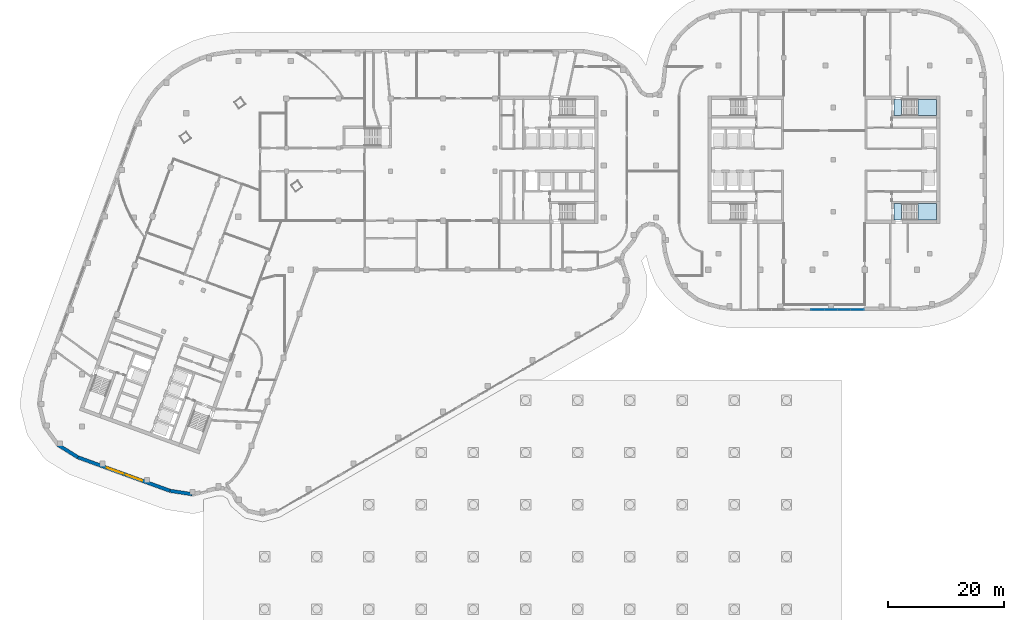
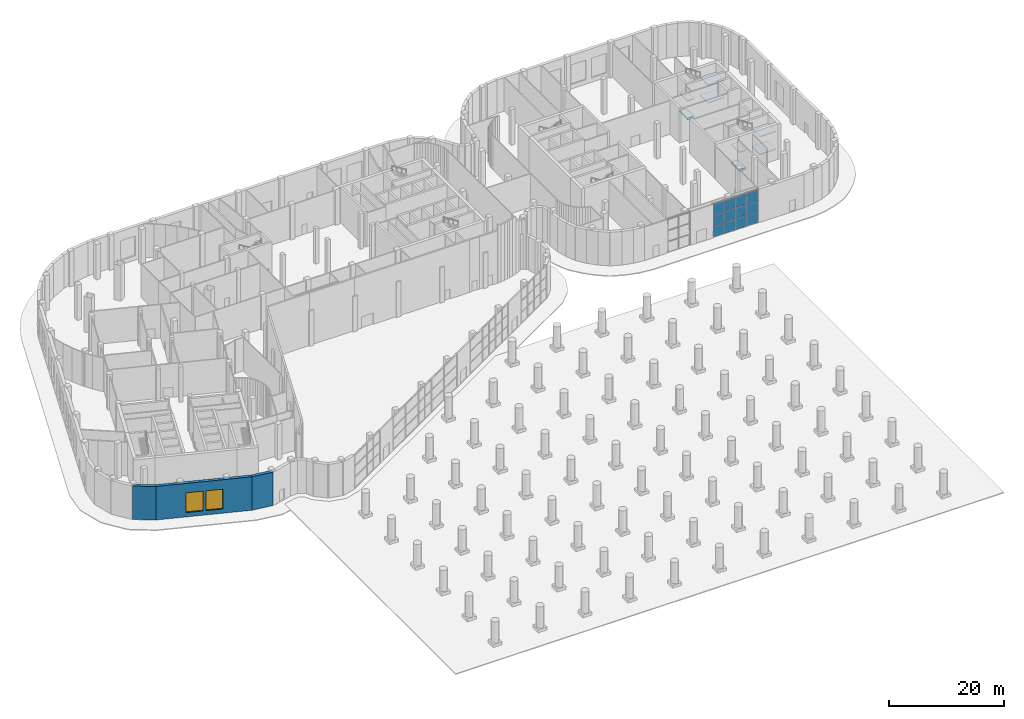
# One storey, part 11 of 30: 12 plates, 8 slabs, 3 walls, 2 windows, 2 openings, 3 elements without a shape of their own.
"""IFC4 building model written with IfcOpenShell, lengths in metres."""

import ifcopenshell
import ifcopenshell.guid

model = None  # the IFC model being written
_history = None  # IfcOwnerHistory: only IFC2X3 demands one
_inside = {}  # id of a spatial element -> (the spatial element, [elements in it])
_under = {}  # id of a project, library or spatial element -> (it, [spatial elements below it])
_declared = {}  # id of a project -> (the project, [libraries it declares])
_typed = {}  # id of a type object -> (the type object, [elements of that type])
_made_of = {}  # id of a material, layer set ... -> (it, [elements and type objects made of it])


def new_model(schema):
    """Start an empty IFC model of exactly this schema.

    Asked for "IFC4X3", IfcOpenShell would pick the latest addendum, in which some entities
    have other attributes; the version numbers below select the first issue.
    IFC2X3 requires an IfcOwnerHistory on every rooted entity: one is made here for all.
    """
    global model, _history
    if schema == "IFC4X3":
        model = ifcopenshell.file(schema_version=(4, 3, 0, 0))
    else:
        model = ifcopenshell.file(schema=schema)
    _inside.clear()
    _under.clear()
    _declared.clear()
    _typed.clear()
    _made_of.clear()
    _history = None
    if model.schema == "IFC2X3":
        org = make("IfcOrganization", Name="unknown")
        user = make(
            "IfcPersonAndOrganization",
            ThePerson=make("IfcPerson", FamilyName="unknown"),
            TheOrganization=org,
        )
        app = make(
            "IfcApplication",
            ApplicationDeveloper=org,
            Version="unknown",
            ApplicationFullName="unknown",
            ApplicationIdentifier="unknown",
        )
        _history = make(
            "IfcOwnerHistory",
            OwningUser=user,
            OwningApplication=app,
            ChangeAction="ADDED",
            CreationDate=0,
        )
    return model


def make(cls, **values):
    """One entity of the class cls with the attributes given. An attribute that is None is left unset."""
    return model.create_entity(
        cls, **{name: value for name, value in values.items() if value is not None}
    )


def rooted(cls, **values):
    """An entity with a GlobalId (a new one), such as an element, a storey or a relation."""
    return make(cls, GlobalId=ifcopenshell.guid.new(), OwnerHistory=_history, **values)


def si_unit(unit_type, name, prefix=None):
    """IfcSIUnit, for example si_unit("LENGTHUNIT", "METRE", prefix="MILLI")."""
    return make("IfcSIUnit", UnitType=unit_type, Prefix=prefix, Name=name)


def assignment(units):
    """IfcUnitAssignment: the units of a project."""
    return None if units is None else make("IfcUnitAssignment", Units=units)


def point(xyz):
    """IfcCartesianPoint."""
    return None if xyz is None else make("IfcCartesianPoint", Coordinates=xyz)


def direction(xyz):
    """IfcDirection."""
    return None if xyz is None else make("IfcDirection", DirectionRatios=xyz)


def frame(location, z_axis=None, x_axis=None):
    """IfcAxis2Placement3D, a coordinate frame: its origin and axes. An axis left out is left unset."""
    return make(
        "IfcAxis2Placement3D",
        Location=point(location),
        Axis=direction(z_axis),
        RefDirection=direction(x_axis),
    )


def frame_2d(location, x_axis=None):
    """IfcAxis2Placement2D, a coordinate frame in the plane: its origin and x axis."""
    return make(
        "IfcAxis2Placement2D", Location=point(location), RefDirection=direction(x_axis)
    )


def origin():
    """The frame at (0, 0, 0) with its axes left unset."""
    return frame((0.0, 0.0, 0.0))


def origin_2d():
    """The frame at (0, 0) in the plane with its x axis left unset."""
    return frame_2d((0.0, 0.0))


def place(relative_to, where):
    """IfcLocalPlacement: puts the frame where relative to a parent placement (None: the world)."""
    return make(
        "IfcLocalPlacement", PlacementRelTo=relative_to, RelativePlacement=where
    )


def context(
    kind, dimensions, precision=None, world=None, true_north=None, identifier=None
):
    """IfcGeometricRepresentationContext, for example the 3D "Model" context."""
    return make(
        "IfcGeometricRepresentationContext",
        ContextIdentifier=identifier,
        ContextType=kind,
        CoordinateSpaceDimension=dimensions,
        Precision=precision,
        WorldCoordinateSystem=world,
        TrueNorth=true_north,
    )


def subcontext(parent, identifier, kind, view, scale=None):
    """IfcGeometricRepresentationSubContext, for example "Body" below "Model"."""
    return make(
        "IfcGeometricRepresentationSubContext",
        ContextIdentifier=identifier,
        ContextType=kind,
        ParentContext=parent,
        TargetScale=scale,
        TargetView=view,
    )


def project(units=None, contexts=None):
    """IfcProject with its units and contexts."""
    return rooted(
        "IfcProject",
        Name="project",
        RepresentationContexts=contexts,
        UnitsInContext=assignment(units),
    )


def spatial(cls, under=None, at=None, **own):
    """A site, building, storey or space (cls), placed at a placement, below another one or the project."""
    s = rooted(cls, ObjectPlacement=at, **own)
    if under is not None:
        _under.setdefault(under.id(), (under, []))[1].append(s)
    return s


def polyline(points):
    """IfcPolyline through the points."""
    return make("IfcPolyline", Points=[point(p) for p in points])


def profile(cls, at=None, kind="AREA", **sizes):
    """A parametric profile (cls). Its sizes go by their IFC names, for example OverallWidth=200.0."""
    return make(cls, ProfileType=kind, Position=at, **sizes)


def rectangle(**sizes):
    """IfcRectangleProfileDef."""
    return profile("IfcRectangleProfileDef", **sizes)


def outline(outer, holes=None, kind="AREA"):
    """IfcArbitraryClosedProfileDef: a profile drawn as a closed curve; with holes, ...WithVoids."""
    if holes is None:
        return make("IfcArbitraryClosedProfileDef", ProfileType=kind, OuterCurve=outer)
    return make(
        "IfcArbitraryProfileDefWithVoids",
        ProfileType=kind,
        OuterCurve=outer,
        InnerCurves=holes,
    )


def extrude(swept, where, along, depth):
    """IfcExtrudedAreaSolid: the profile swept, set in the frame where, extruded along a direction by depth."""
    return make(
        "IfcExtrudedAreaSolid",
        SweptArea=swept,
        Position=where,
        ExtrudedDirection=direction(along),
        Depth=depth,
    )


def shape(context_of_items, identifier, shape_type, items):
    """IfcShapeRepresentation: the items that make up one representation, for example the "Body"."""
    return make(
        "IfcShapeRepresentation",
        ContextOfItems=context_of_items,
        RepresentationIdentifier=identifier,
        RepresentationType=shape_type,
        Items=items,
    )


def material(Name=None, Category=None):
    """IfcMaterial."""
    return make("IfcMaterial", Name=Name, Category=Category)


def layer(
    of_material, thickness, ventilated=None, Name=None, Category=None, Priority=None
):
    """IfcMaterialLayer: one layer of a wall or slab, of a material (None: an air gap)."""
    return make(
        "IfcMaterialLayer",
        Material=of_material,
        LayerThickness=thickness,
        IsVentilated=ventilated,
        Name=Name,
        Category=Category,
        Priority=Priority,
    )


def layer_set(layers, Name=None):
    """IfcMaterialLayerSet."""
    return make("IfcMaterialLayerSet", MaterialLayers=layers, LayerSetName=Name)


def made_of(thing, what):
    """Note that an element or type object is made of a material, layer set ...; save() writes the relation."""
    if what is not None:
        _made_of.setdefault(what.id(), (what, []))[1].append(thing)
    return thing


def type_object(cls, material=None, **own):
    """A type object (cls), such as IfcWallType, which elements share."""
    return made_of(rooted(cls, **own), material)


def element(
    cls,
    number,
    at=None,
    inside=None,
    cuts=None,
    type_object=None,
    material=None,
    context=None,
    identifier="Body",
    shape_type=None,
    held_by="IfcProductDefinitionShape",
    body=None,
    shapes=None,
    **own,
):
    """One element of the class cls, such as IfcWall. Its Tag is "e" and its number.

    at: its placement. inside: the storey or other place that contains it. cuts: it is an
    opening in that element (IfcRelVoidsElement). A single representation is given by context,
    identifier, shape_type and body (its items); several are given by shapes. held_by: the class
    of the entity that holds the representations. save() writes the other relations.
    """
    e = rooted(cls, Tag="e%d" % number, ObjectPlacement=at, **own)
    if body is not None:
        shapes = [shape(context, identifier, shape_type, body)]
    if shapes is not None:
        e.Representation = make(held_by, Representations=shapes)
    if inside is not None:
        _inside.setdefault(inside.id(), (inside, []))[1].append(e)
    if cuts is not None:
        rooted(
            "IfcRelVoidsElement", RelatingBuildingElement=cuts, RelatedOpeningElement=e
        )
    if type_object is not None:
        _typed.setdefault(type_object.id(), (type_object, []))[1].append(e)
    return made_of(e, material)


def fill(opening, filler):
    """IfcRelFillsElement: the door or window that sits in an opening."""
    return rooted(
        "IfcRelFillsElement",
        RelatingOpeningElement=opening,
        RelatedBuildingElement=filler,
    )


def aggregate(whole, parts):
    """IfcRelAggregates: a whole, such as a stair, and the parts it consists of."""
    return rooted("IfcRelAggregates", RelatingObject=whole, RelatedObjects=parts)


def save(model, path):
    """Write the relations noted so far, then the file.

    IfcRelAggregates (storeys below a building ...), IfcRelContainedInSpatialStructure (elements
    in a storey), IfcRelDefinesByType, IfcRelAssociatesMaterial and IfcRelDeclares: one each for
    every whole, place, type object, material and project.
    """
    for whole, parts in _under.values():
        aggregate(whole, parts)
    for where, things in _inside.values():
        rooted(
            "IfcRelContainedInSpatialStructure",
            RelatedElements=things,
            RelatingStructure=where,
        )
    for kind, things in _typed.values():
        rooted("IfcRelDefinesByType", RelatedObjects=things, RelatingType=kind)
    for what, things in _made_of.values():
        rooted("IfcRelAssociatesMaterial", RelatedObjects=things, RelatingMaterial=what)
    for by, libraries in _declared.values():
        rooted("IfcRelDeclares", RelatingContext=by, RelatedDefinitions=libraries)
    model.write(path)


model = new_model("IFC4")

# Units and contexts
model_context = context("Model", 3, precision=1e-05, world=origin(), true_north=direction((0.0, 1.0)))
body_context = subcontext(model_context, "Body", "Model", "MODEL_VIEW")
ifc_project = project(units=[si_unit("LENGTHUNIT", "METRE"), si_unit("AREAUNIT", "SQUARE_METRE"), si_unit("VOLUMEUNIT", "CUBIC_METRE"), si_unit("PLANEANGLEUNIT", "RADIAN"), si_unit("MASSUNIT", "GRAM", prefix="KILO")], contexts=[model_context])

# Site, building, storey
site_placement = place(None, origin())
site = spatial("IfcSite", under=ifc_project, at=site_placement, CompositionType="ELEMENT")
building_placement = place(site_placement, origin())
building = spatial("IfcBuilding", under=site, at=building_placement, Name="Skarvind Civic Tower", CompositionType="ELEMENT")
storey_placement = place(building_placement, origin())
storey = spatial("IfcBuildingStorey", under=building, at=storey_placement, Name="L00", CompositionType="ELEMENT", Elevation=0.0)

# Curtain wall, plates
ifc_material_1 = material(Name="Aluminium alloy 6063 and laminated glass", Category="aluminium")
curtain_wall_type = type_object("IfcCurtainWallType", Name="CW6 COMPANION TOWER LOBBY GLAZING", PredefinedType="NOTDEFINED", material=ifc_material_1)
curtain_wall_placement = place(storey_placement, origin())
curtain_wall = element("IfcCurtainWall", 1, at=curtain_wall_placement, inside=storey, type_object=curtain_wall_type, Name="COMPANION TOWER LOBBY GLAZING", PredefinedType="NOTDEFINED")
ifc_material_2 = material(Name="Laminated low-iron glass", Category="glass")
ifc_layer_1 = layer(ifc_material_2, 0.031982421875)
ifc_layer_set_1 = layer_set([ifc_layer_1], Name="CW6 GLASS PANEL 32")
plate_type = type_object("IfcPlateType", Name="CW6 GLASS PANEL 32", PredefinedType="CURTAIN_PANEL", material=ifc_layer_set_1)
plate_1_placement = place(storey_placement, frame((152.68896484375, 102.110107421875, 0.070068359375), z_axis=(0.0, 0.0, 1.0), x_axis=(-1.0, 0.0, 0.0)))
plate_1 = element("IfcPlate", 2, at=plate_1_placement, type_object=plate_type, Name="CW6 panel 1.1", PredefinedType="CURTAIN_PANEL", context=body_context, shape_type="SweptSolid", body=[
    extrude(rectangle(XDim=2.177490234375, YDim=0.031982421875, at=origin_2d()), origin(), (0.0, 0.0, 1.0), 2.26171875),
])
plate_2_placement = place(storey_placement, frame((152.68896484375, 102.110107421875, 2.40185546875), z_axis=(0.0, 0.0, 1.0), x_axis=(-1.0, 0.0, 0.0)))
plate_2 = element("IfcPlate", 3, at=plate_2_placement, type_object=plate_type, Name="CW6 panel 1.2", PredefinedType="CURTAIN_PANEL", context=body_context, shape_type="SweptSolid", body=[
    extrude(rectangle(XDim=2.177490234375, YDim=0.031982421875, at=origin_2d()), origin(), (0.0, 0.0, 1.0), 2.296630859375),
])
plate_3_placement = place(storey_placement, frame((152.68896484375, 102.110107421875, 4.768310546875), z_axis=(0.0, 0.0, 1.0), x_axis=(-1.0, 0.0, 0.0)))
plate_3 = element("IfcPlate", 4, at=plate_3_placement, type_object=plate_type, Name="CW6 panel 1.3", PredefinedType="CURTAIN_PANEL", context=body_context, shape_type="SweptSolid", body=[
    extrude(rectangle(XDim=2.177490234375, YDim=0.031982421875, at=origin_2d()), origin(), (0.0, 0.0, 1.0), 2.26171875),
])
plate_4_placement = place(storey_placement, frame((150.423828125, 102.110107421875, 0.070068359375), z_axis=(0.0, 0.0, 1.0), x_axis=(-1.0, 0.0, 0.0)))
plate_4 = element("IfcPlate", 5, at=plate_4_placement, type_object=plate_type, Name="CW6 panel 2.1", PredefinedType="CURTAIN_PANEL", context=body_context, shape_type="SweptSolid", body=[
    extrude(rectangle(XDim=2.212646484375, YDim=0.031982421875, at=origin_2d()), origin(), (0.0, 0.0, 1.0), 2.26171875),
])
plate_5_placement = place(storey_placement, frame((150.423828125, 102.110107421875, 2.40185546875), z_axis=(0.0, 0.0, 1.0), x_axis=(-1.0, 0.0, 0.0)))
plate_5 = element("IfcPlate", 6, at=plate_5_placement, type_object=plate_type, Name="CW6 panel 2.2", PredefinedType="CURTAIN_PANEL", context=body_context, shape_type="SweptSolid", body=[
    extrude(rectangle(XDim=2.212646484375, YDim=0.031982421875, at=origin_2d()), origin(), (0.0, 0.0, 1.0), 2.296630859375),
])
plate_6_placement = place(storey_placement, frame((150.423828125, 102.110107421875, 4.768310546875), z_axis=(0.0, 0.0, 1.0), x_axis=(-1.0, 0.0, 0.0)))
plate_6 = element("IfcPlate", 7, at=plate_6_placement, type_object=plate_type, Name="CW6 panel 2.3", PredefinedType="CURTAIN_PANEL", context=body_context, shape_type="SweptSolid", body=[
    extrude(rectangle(XDim=2.212646484375, YDim=0.031982421875, at=origin_2d()), origin(), (0.0, 0.0, 1.0), 2.26171875),
])
plate_7_placement = place(storey_placement, frame((148.141357421875, 102.110107421875, 0.070068359375), z_axis=(0.0, 0.0, 1.0), x_axis=(-1.0, 0.0, 0.0)))
plate_7 = element("IfcPlate", 8, at=plate_7_placement, type_object=plate_type, Name="CW6 panel 3.1", PredefinedType="CURTAIN_PANEL", context=body_context, shape_type="SweptSolid", body=[
    extrude(rectangle(XDim=2.212646484375, YDim=0.031982421875, at=origin_2d()), origin(), (0.0, 0.0, 1.0), 2.26171875),
])
plate_8_placement = place(storey_placement, frame((148.141357421875, 102.110107421875, 2.40185546875), z_axis=(0.0, 0.0, 1.0), x_axis=(-1.0, 0.0, 0.0)))
plate_8 = element("IfcPlate", 9, at=plate_8_placement, type_object=plate_type, Name="CW6 panel 3.2", PredefinedType="CURTAIN_PANEL", context=body_context, shape_type="SweptSolid", body=[
    extrude(rectangle(XDim=2.212646484375, YDim=0.031982421875, at=origin_2d()), origin(), (0.0, 0.0, 1.0), 2.296630859375),
])
plate_9_placement = place(storey_placement, frame((148.141357421875, 102.110107421875, 4.768310546875), z_axis=(0.0, 0.0, 1.0), x_axis=(-1.0, 0.0, 0.0)))
plate_9 = element("IfcPlate", 10, at=plate_9_placement, type_object=plate_type, Name="CW6 panel 3.3", PredefinedType="CURTAIN_PANEL", context=body_context, shape_type="SweptSolid", body=[
    extrude(rectangle(XDim=2.212646484375, YDim=0.031982421875, at=origin_2d()), origin(), (0.0, 0.0, 1.0), 2.26171875),
])
plate_10_placement = place(storey_placement, frame((145.876220703125, 102.110107421875, 0.070068359375), z_axis=(0.0, 0.0, 1.0), x_axis=(-1.0, 0.0, 0.0)))
plate_10 = element("IfcPlate", 11, at=plate_10_placement, type_object=plate_type, Name="CW6 panel 4.1", PredefinedType="CURTAIN_PANEL", context=body_context, shape_type="SweptSolid", body=[
    extrude(rectangle(XDim=2.177490234375, YDim=0.031982421875, at=origin_2d()), origin(), (0.0, 0.0, 1.0), 2.26171875),
])
plate_11_placement = place(storey_placement, frame((145.876220703125, 102.110107421875, 2.40185546875), z_axis=(0.0, 0.0, 1.0), x_axis=(-1.0, 0.0, 0.0)))
plate_11 = element("IfcPlate", 12, at=plate_11_placement, type_object=plate_type, Name="CW6 panel 4.2", PredefinedType="CURTAIN_PANEL", context=body_context, shape_type="SweptSolid", body=[
    extrude(rectangle(XDim=2.177490234375, YDim=0.031982421875, at=origin_2d()), origin(), (0.0, 0.0, 1.0), 2.296630859375),
])
plate_12_placement = place(storey_placement, frame((145.876220703125, 102.110107421875, 4.768310546875), z_axis=(0.0, 0.0, 1.0), x_axis=(-1.0, 0.0, 0.0)))
plate_12 = element("IfcPlate", 13, at=plate_12_placement, type_object=plate_type, Name="CW6 panel 4.3", PredefinedType="CURTAIN_PANEL", context=body_context, shape_type="SweptSolid", body=[
    extrude(rectangle(XDim=2.177490234375, YDim=0.031982421875, at=origin_2d()), origin(), (0.0, 0.0, 1.0), 2.26171875),
])
aggregate(curtain_wall, [plate_1, plate_2, plate_3, plate_4, plate_5, plate_6, plate_7, plate_8, plate_9, plate_10, plate_11, plate_12])

# Slabs
ifc_material_3 = material(Name="Concrete C40/50", Category="concrete")
ifc_layer_2 = layer(ifc_material_3, 0.39990234375)
ifc_layer_set_2 = layer_set([ifc_layer_2], Name="Stair floor landing slab 400")
slab_type_1 = type_object("IfcSlabType", Name="Stair floor landing slab 400", PredefinedType="LANDING", material=ifc_layer_set_2)
slab_1_placement = place(storey_placement, frame((0.0, 0.0, -0.39990234375)))
element("IfcSlab", 14, at=slab_1_placement, inside=storey, type_object=slab_type_1, Name="Stair floor landing", PredefinedType="LANDING", context=body_context, shape_type="SweptSolid", body=[
    extrude(outline(polyline([(160.3505859375, 138.400634765625), (160.3505859375, 135.599365234375), (158.99951171875, 135.599365234375), (158.99951171875, 138.400634765625), (160.3505859375, 138.400634765625)])), origin(), (0.0, 0.0, 1.0), 0.39990234375),
])
slab_2_placement = place(storey_placement, frame((0.0, 0.0, -0.39990234375)))
element("IfcSlab", 15, at=slab_2_placement, inside=storey, type_object=slab_type_1, Name="Stair floor landing", PredefinedType="LANDING", context=body_context, shape_type="SweptSolid", body=[
    extrude(outline(polyline([(160.3505859375, 120.400634765625), (160.3505859375, 117.599365234375), (158.99951171875, 117.599365234375), (158.99951171875, 120.400634765625), (160.3505859375, 120.400634765625)])), origin(), (0.0, 0.0, 1.0), 0.39990234375),
])

# Stair, slabs
stair_type = type_object("IfcStairType", Name="Exit stair, half-turn, concrete", PredefinedType="HALF_TURN_STAIR", material=ifc_material_3)
stair_1_placement = place(storey_placement, origin())
stair_1 = element("IfcStair", 16, at=stair_1_placement, inside=storey, type_object=stair_type, Name="Exit stair CBS", PredefinedType="HALF_TURN_STAIR")
ifc_layer_3 = layer(ifc_material_3, 0.199951171875)
ifc_layer_set_3 = layer_set([ifc_layer_3], Name="Stair half landing slab")
slab_type_2 = type_object("IfcSlabType", Name="Stair half landing slab", PredefinedType="LANDING", material=ifc_layer_set_3)
slab_3_placement = place(storey_placement, frame((0.0, 0.0, 1.675048828125)))
slab_3 = element("IfcSlab", 17, at=slab_3_placement, type_object=slab_type_2, Name="ST-CBS landing 1", PredefinedType="LANDING", context=body_context, shape_type="SweptSolid", body=[
    extrude(outline(polyline([(163.1494140625, 135.599365234375), (163.1494140625, 138.400634765625), (166.400634765625, 138.400634765625), (166.400634765625, 135.599365234375), (163.1494140625, 135.599365234375)])), origin(), (0.0, 0.0, 1.0), 0.199951171875),
])
slab_4_placement = place(storey_placement, frame((0.0, 0.0, 3.550048828125)))
slab_4 = element("IfcSlab", 18, at=slab_4_placement, type_object=slab_type_2, Name="ST-CBS landing 2", PredefinedType="LANDING", context=body_context, shape_type="SweptSolid", body=[
    extrude(outline(polyline([(158.99951171875, 135.599365234375), (158.99951171875, 138.400634765625), (160.3505859375, 138.400634765625), (160.3505859375, 135.599365234375), (158.99951171875, 135.599365234375)])), origin(), (0.0, 0.0, 1.0), 0.199951171875),
])
slab_5_placement = place(storey_placement, frame((0.0, 0.0, 5.425048828125)))
slab_5 = element("IfcSlab", 19, at=slab_5_placement, type_object=slab_type_2, Name="ST-CBS landing 3", PredefinedType="LANDING", context=body_context, shape_type="SweptSolid", body=[
    extrude(outline(polyline([(163.1494140625, 135.599365234375), (163.1494140625, 138.400634765625), (166.400634765625, 138.400634765625), (166.400634765625, 135.599365234375), (163.1494140625, 135.599365234375)])), origin(), (0.0, 0.0, 1.0), 0.199951171875),
])
aggregate(stair_1, [slab_3, slab_4, slab_5])

stair_2_placement = place(storey_placement, origin())
stair_2 = element("IfcStair", 20, at=stair_2_placement, inside=storey, type_object=stair_type, Name="Exit stair CBN", PredefinedType="HALF_TURN_STAIR")
slab_6_placement = place(storey_placement, frame((0.0, 0.0, 1.675048828125)))
slab_6 = element("IfcSlab", 21, at=slab_6_placement, type_object=slab_type_2, Name="ST-CBN landing 1", PredefinedType="LANDING", context=body_context, shape_type="SweptSolid", body=[
    extrude(outline(polyline([(163.1494140625, 117.599365234375), (163.1494140625, 120.400634765625), (166.400634765625, 120.400634765625), (166.400634765625, 117.599365234375), (163.1494140625, 117.599365234375)])), origin(), (0.0, 0.0, 1.0), 0.199951171875),
])
slab_7_placement = place(storey_placement, frame((0.0, 0.0, 3.550048828125)))
slab_7 = element("IfcSlab", 22, at=slab_7_placement, type_object=slab_type_2, Name="ST-CBN landing 2", PredefinedType="LANDING", context=body_context, shape_type="SweptSolid", body=[
    extrude(outline(polyline([(158.99951171875, 117.599365234375), (158.99951171875, 120.400634765625), (160.3505859375, 120.400634765625), (160.3505859375, 117.599365234375), (158.99951171875, 117.599365234375)])), origin(), (0.0, 0.0, 1.0), 0.199951171875),
])
slab_8_placement = place(storey_placement, frame((0.0, 0.0, 5.425048828125)))
slab_8 = element("IfcSlab", 23, at=slab_8_placement, type_object=slab_type_2, Name="ST-CBN landing 3", PredefinedType="LANDING", context=body_context, shape_type="SweptSolid", body=[
    extrude(outline(polyline([(163.1494140625, 117.599365234375), (163.1494140625, 120.400634765625), (166.400634765625, 120.400634765625), (166.400634765625, 117.599365234375), (163.1494140625, 117.599365234375)])), origin(), (0.0, 0.0, 1.0), 0.199951171875),
])
aggregate(stair_2, [slab_6, slab_7, slab_8])

# Wall
ifc_material_4 = material(Name="Limestone masonry cladding on insulated backing", Category="masonry")
ifc_layer_4 = layer(ifc_material_4, 0.60009765625)
ifc_layer_set_4 = layer_set([ifc_layer_4], Name="WX1 STONE FACADE WALL 600")
wall_type = type_object("IfcWallType", Name="WX1 STONE FACADE WALL 600", PredefinedType="SOLIDWALL", material=ifc_layer_set_4)
wall_1_placement = place(storey_placement, frame((18.32861328125, 76.668212890625, 0.0), z_axis=(0.0, 0.0, 1.0), x_axis=(-0.849679171995, 0.527300013918, 0.0)))
element("IfcWall", 24, at=wall_1_placement, inside=storey, type_object=wall_type, Name="STONE FACADE WALL", PredefinedType="SOLIDWALL", context=body_context, shape_type="SweptSolid", body=[
    extrude(rectangle(XDim=4.0615234375, YDim=0.60009765625, at=frame_2d((2.03076171875, 0.0))), origin(), (0.0, 0.0, 1.0), 7.10009765625),
])

# Wall, openings, windows
wall_2_placement = place(storey_placement, frame((34.2041015625, 70.890380859375, 0.0), z_axis=(0.0, 0.0, 1.0), x_axis=(-0.939693996621, 0.342016363227, 0.0)))
wall_2 = element("IfcWall", 25, at=wall_2_placement, inside=storey, type_object=wall_type, Name="STONE FACADE WALL", PredefinedType="SOLIDWALL", context=body_context, shape_type="SweptSolid", body=[
    extrude(rectangle(XDim=16.92626953125, YDim=0.60009765625, at=frame_2d((8.463134765625, 0.0))), origin(), (0.0, 0.0, 1.0), 7.10009765625),
])
opening_1_placement = place(wall_2_placement, frame((5.128662109375, 0.0, 0.89990234375)))
opening_1 = element("IfcOpeningElement", 26, at=opening_1_placement, cuts=wall_2, Name="Opening WN3", PredefinedType="OPENING", context=body_context, shape_type="SweptSolid", body=[
    extrude(rectangle(XDim=3.0, YDim=4.199951171875, at=frame_2d((1.5, 2.10009765625))), frame((0.0, 0.31005859375, 0.0), z_axis=(0.0, -1.0, 0.0), x_axis=(1.0, 0.0, 0.0)), (0.0, 0.0, 1.0), 0.6201171875),
])
opening_2_placement = place(wall_2_placement, frame((8.61767578125, 0.0, 0.89990234375)))
opening_2 = element("IfcOpeningElement", 27, at=opening_2_placement, cuts=wall_2, Name="Opening WN3", PredefinedType="OPENING", context=body_context, shape_type="SweptSolid", body=[
    extrude(rectangle(XDim=3.0, YDim=4.199951171875, at=frame_2d((1.5, 2.10009765625))), frame((0.0, 0.31005859375, 0.0), z_axis=(0.0, -1.0, 0.0), x_axis=(1.0, 0.0, 0.0)), (0.0, 0.0, 1.0), 0.6201171875),
])
ifc_material_5 = material(Name="Timber frame, double glazing, timber-lined reveal", Category="wood")
window_type = type_object("IfcWindowType", Name="WN3 GROUND STOREY STONE WINDOW 3000 x 4200", PartitioningType="SINGLE_PANEL", PredefinedType="WINDOW", material=ifc_material_5)
window_1_placement = place(opening_1_placement, origin())
window_1 = element("IfcWindow", 28, at=window_1_placement, inside=storey, type_object=window_type, Name="WN3 WINDOW", OverallHeight=4.199951171875, OverallWidth=3.0, PartitioningType="SINGLE_PANEL", PredefinedType="WINDOW", context=body_context, shape_type="SweptSolid", body=[
    extrude(rectangle(XDim=3.0, YDim=4.199951171875, at=frame_2d((1.5, 2.10009765625))), frame((0.0, 0.030029296875, 0.0), z_axis=(0.0, -1.0, 0.0), x_axis=(1.0, 0.0, 0.0)), (0.0, 0.0, 1.0), 0.06005859375),
])
fill(opening_1, window_1)
window_2_placement = place(opening_2_placement, origin())
window_2 = element("IfcWindow", 29, at=window_2_placement, inside=storey, type_object=window_type, Name="WN3 WINDOW", OverallHeight=4.199951171875, OverallWidth=3.0, PartitioningType="SINGLE_PANEL", PredefinedType="WINDOW", context=body_context, shape_type="SweptSolid", body=[
    extrude(rectangle(XDim=3.0, YDim=4.199951171875, at=frame_2d((1.5, 2.10009765625))), frame((0.0, 0.030029296875, 0.0), z_axis=(0.0, -1.0, 0.0), x_axis=(1.0, 0.0, 0.0)), (0.0, 0.0, 1.0), 0.06005859375),
])
fill(opening_2, window_2)

# Wall
wall_3_placement = place(storey_placement, frame((38.021728515625, 70.30810546875, 0.0), z_axis=(0.0, 0.0, 1.0), x_axis=(-0.98857030495, 0.150760578968, 0.0)))
element("IfcWall", 30, at=wall_3_placement, inside=storey, type_object=wall_type, Name="STONE FACADE WALL", PredefinedType="SOLIDWALL", context=body_context, shape_type="SweptSolid", body=[
    extrude(rectangle(XDim=3.891357421875, YDim=0.60009765625, at=frame_2d((1.94580078125, 0.0))), origin(), (0.0, 0.0, 1.0), 7.10009765625),
])

save(model, "model.ifc")
